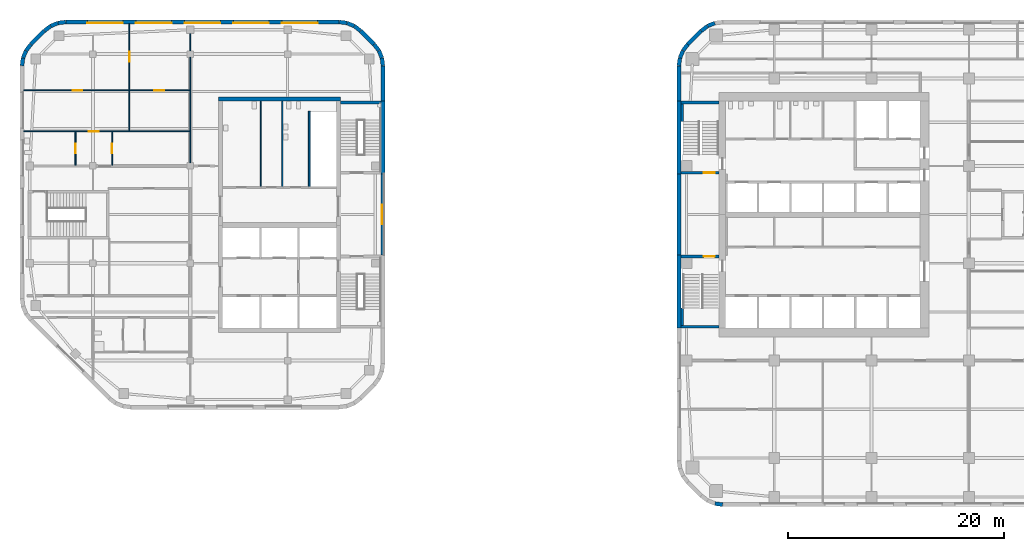
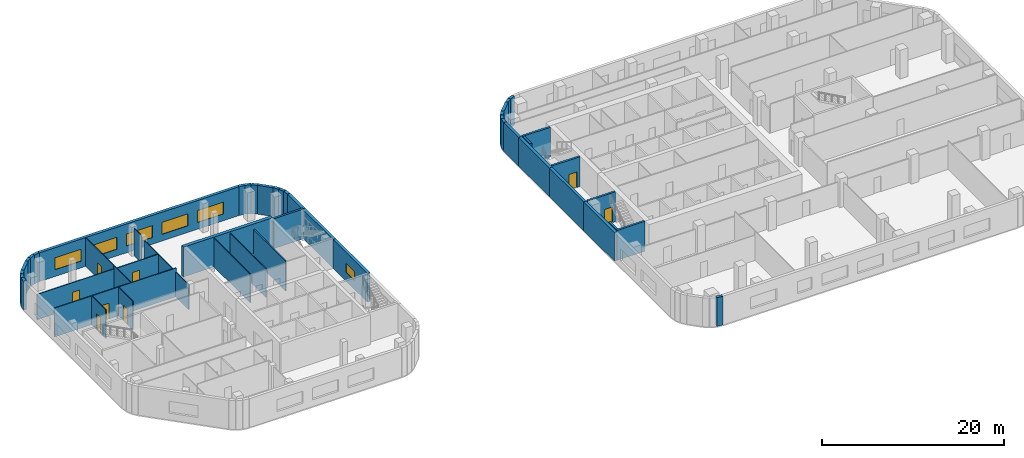
# One storey, part 7 of 14: 50 walls, 8 doors, 6 windows, 14 openings.
"""IFC4 building model written with IfcOpenShell, lengths in metres."""

from ifc_helpers import new_model, si_unit, direction, frame, frame_2d, origin, place, context, subcontext, project, spatial, rectangle, extrude, material, layer, layer_set, type_object, element, fill, save


model = new_model("IFC4")

# Units and contexts
model_context = context("Model", 3, precision=1e-05, world=origin(), true_north=direction((0.0, 1.0)))
body_context = subcontext(model_context, "Body", "Model", "MODEL_VIEW")
ifc_project = project(units=[si_unit("LENGTHUNIT", "METRE"), si_unit("AREAUNIT", "SQUARE_METRE"), si_unit("VOLUMEUNIT", "CUBIC_METRE"), si_unit("PLANEANGLEUNIT", "RADIAN"), si_unit("MASSUNIT", "GRAM", prefix="KILO")], contexts=[model_context])

# Site, building, storey
site_placement = place(None, origin())
site = spatial("IfcSite", under=ifc_project, at=site_placement, CompositionType="ELEMENT")
building_placement = place(site_placement, origin())
building = spatial("IfcBuilding", under=site, at=building_placement, Name="Cinnabar Reach Civic Tower", CompositionType="ELEMENT")
storey_placement = place(building_placement, frame((0.0, 0.0, 112.0)))
storey = spatial("IfcBuildingStorey", under=building, at=storey_placement, Name="L26", CompositionType="ELEMENT", Elevation=112.0)

# Walls
ifc_material_1 = material(Name="Facing brick with insulated backing", Category="masonry")
ifc_layer_1 = layer(ifc_material_1, 0.36)
ifc_layer_set_1 = layer_set([ifc_layer_1], Name="Brick corner wall")
wall_type_1 = type_object("IfcWallType", Name="Brick corner wall", PredefinedType="STANDARD", material=ifc_layer_set_1)
wall_1_placement = place(storey_placement, frame((3.5027, 49.2181, 0.0), z_axis=(0.0, 0.0, 1.0), x_axis=(-0.923871547278, -0.382702709855, 0.0)))
element("IfcWall", 1, at=wall_1_placement, inside=storey, type_object=wall_type_1, Name="Brick corner wall", PredefinedType="STANDARD", context=body_context, shape_type="SweptSolid", body=[
    extrude(rectangle(XDim=0.7131, YDim=0.36, at=frame_2d((0.3565, 0.0))), origin(), (0.0, 0.0, 1.0), 3.85),
])
for number, where, z_axis, x_axis, name in (
    (2, (2.8245, 48.934, 0.0), (0.0, 0.0, 1.0), (-0.793321924995, -0.608802368033, 0.0), "Brick corner wall"),
    (3, (1.0002, 47.2413, 0.0), (0.0, 0.0, 1.0), (-0.608802368033, -0.793321924995, 0.0), "Brick corner wall"),
):
    element("IfcWall", number, at=place(storey_placement, frame(where, z_axis=z_axis, x_axis=x_axis)), inside=storey, type_object=wall_type_1, Name=name, PredefinedType="STANDARD", context=body_context, shape_type="SweptSolid", body=[
        extrude(rectangle(XDim=0.7132, YDim=0.36, at=frame_2d((0.3566, 0.0))), origin(), (0.0, 0.0, 1.0), 3.85),
    ])
for number, where, z_axis, x_axis, name in (
    (4, (0.5548, 46.6561, 0.0), (0.0, 0.0, 1.0), (-0.382702709855, -0.923871547278, 0.0), "Brick corner wall"),
    (5, (0.2761, 45.9756, 0.0), (0.0, 0.0, 1.0), (-0.13055608231, -0.99144092581, 0.0), "Brick corner wall"),
    (6, (3.5244, 4.7761, 0.0), (0.0, 0.0, 1.0), (0.99144092581, -0.13055608231, 0.0), "Brick corner wall"),
    (7, (-27.183, 45.2686, 0.0), (0.0, 0.0, 1.0), (-0.13055608231, 0.99144092581, 0.0), "Brick corner wall"),
    (8, (-27.2819, 45.9973, 0.0), (0.0, 0.0, 1.0), (-0.382702709855, 0.923871547278, 0.0), "Brick corner wall"),
):
    element("IfcWall", number, at=place(storey_placement, frame(where, z_axis=z_axis, x_axis=x_axis)), inside=storey, type_object=wall_type_1, Name=name, PredefinedType="STANDARD", context=body_context, shape_type="SweptSolid", body=[
        extrude(rectangle(XDim=0.7131, YDim=0.36, at=frame_2d((0.3565, 0.0))), origin(), (0.0, 0.0, 1.0), 3.85),
    ])
for number, where, z_axis, x_axis, name in (
    (9, (-27.566, 46.6755, 0.0), (0.0, 0.0, 1.0), (-0.608802368033, 0.793321924995, 0.0), "Brick corner wall"),
    (10, (-29.2587, 48.4998, 0.0), (0.0, 0.0, 1.0), (-0.793321924995, 0.608802368033, 0.0), "Brick corner wall"),
):
    element("IfcWall", number, at=place(storey_placement, frame(where, z_axis=z_axis, x_axis=x_axis)), inside=storey, type_object=wall_type_1, Name=name, PredefinedType="STANDARD", context=body_context, shape_type="SweptSolid", body=[
        extrude(rectangle(XDim=0.7132, YDim=0.36, at=frame_2d((0.3566, 0.0))), origin(), (0.0, 0.0, 1.0), 3.85),
    ])
for number, where, z_axis, x_axis, name in (
    (11, (-29.8439, 48.9452, 0.0), (0.0, 0.0, 1.0), (-0.923871547278, 0.382702709855, 0.0), "Brick corner wall"),
    (12, (-30.5244, 49.2239, 0.0), (0.0, 0.0, 1.0), (-0.99144092581, 0.13055608231, 0.0), "Brick corner wall"),
    (13, (-56.5186, 49.317, 0.0), (0.0, 0.0, 1.0), (-0.99144092581, -0.13055608231, 0.0), "Brick corner wall"),
    (14, (-57.2473, 49.2181, 0.0), (0.0, 0.0, 1.0), (-0.923871547278, -0.382702709855, 0.0), "Brick corner wall"),
):
    element("IfcWall", number, at=place(storey_placement, frame(where, z_axis=z_axis, x_axis=x_axis)), inside=storey, type_object=wall_type_1, Name=name, PredefinedType="STANDARD", context=body_context, shape_type="SweptSolid", body=[
        extrude(rectangle(XDim=0.7131, YDim=0.36, at=frame_2d((0.3565, 0.0))), origin(), (0.0, 0.0, 1.0), 3.85),
    ])
for number, where, z_axis, x_axis, name in (
    (15, (-57.9255, 48.934, 0.0), (0.0, 0.0, 1.0), (-0.793321924995, -0.608802368033, 0.0), "Brick corner wall"),
    (16, (-59.7498, 47.2413, 0.0), (0.0, 0.0, 1.0), (-0.608802368033, -0.793321924995, 0.0), "Brick corner wall"),
):
    element("IfcWall", number, at=place(storey_placement, frame(where, z_axis=z_axis, x_axis=x_axis)), inside=storey, type_object=wall_type_1, Name=name, PredefinedType="STANDARD", context=body_context, shape_type="SweptSolid", body=[
        extrude(rectangle(XDim=0.7132, YDim=0.36, at=frame_2d((0.3566, 0.0))), origin(), (0.0, 0.0, 1.0), 3.85),
    ])
for number, where, z_axis, x_axis, name in (
    (17, (-60.1952, 46.6561, 0.0), (0.0, 0.0, 1.0), (-0.382702709855, -0.923871547278, 0.0), "Brick corner wall"),
    (18, (-60.4739, 45.9756, 0.0), (0.0, 0.0, 1.0), (-0.13055608231, -0.99144092581, 0.0), "Brick corner wall"),
):
    element("IfcWall", number, at=place(storey_placement, frame(where, z_axis=z_axis, x_axis=x_axis)), inside=storey, type_object=wall_type_1, Name=name, PredefinedType="STANDARD", context=body_context, shape_type="SweptSolid", body=[
        extrude(rectangle(XDim=0.7131, YDim=0.36, at=frame_2d((0.3565, 0.0))), origin(), (0.0, 0.0, 1.0), 3.85),
    ])
ifc_layer_2 = layer(ifc_material_1, 0.36)
ifc_layer_set_2 = layer_set([ifc_layer_2], Name="Brick pier and spandrel wall")
wall_type_2 = type_object("IfcWallType", Name="Brick pier and spandrel wall", PredefinedType="STANDARD", material=ifc_layer_set_2)
wall_2_placement = place(storey_placement, frame((2.2486, 48.494, 0.0), z_axis=(0.0, 0.0, 1.0), x_axis=(-0.707106781187, -0.707106781187, 0.0)))
element("IfcWall", 19, at=wall_2_placement, inside=storey, type_object=wall_type_2, Name="Brick facade wall", PredefinedType="STANDARD", context=body_context, shape_type="SweptSolid", body=[
    extrude(rectangle(XDim=1.7573, YDim=0.36, at=frame_2d((0.8787, 0.0))), origin(), (0.0, 0.0, 1.0), 3.85),
])
wall_3_placement = place(storey_placement, frame((0.18, 45.2574, 0.0), z_axis=(0.0, 0.0, 1.0), x_axis=(0.0, -1.0, 0.0)))
element("IfcWall", 20, at=wall_3_placement, inside=storey, type_object=wall_type_2, Name="Brick facade wall", PredefinedType="STANDARD", context=body_context, shape_type="SweptSolid", body=[
    extrude(rectangle(XDim=3.2574, YDim=0.36, at=frame_2d((1.6287, 0.0))), origin(), (0.0, 0.0, 1.0), 3.85),
])
wall_4_placement = place(storey_placement, frame((0.18, 42.0, 0.0), z_axis=(0.0, 0.0, 1.0), x_axis=(0.0, -1.0, 0.0)))
element("IfcWall", 21, at=wall_4_placement, inside=storey, type_object=wall_type_2, Name="Brick facade wall", PredefinedType="STANDARD", context=body_context, shape_type="SweptSolid", body=[
    extrude(rectangle(XDim=6.75, YDim=0.36, at=frame_2d((3.375, 0.0))), origin(), (0.0, 0.0, 1.0), 3.85),
])
wall_5_placement = place(storey_placement, frame((0.18, 35.25, 0.0), z_axis=(0.0, 0.0, 1.0), x_axis=(0.0, -1.0, 0.0)))
element("IfcWall", 22, at=wall_5_placement, inside=storey, type_object=wall_type_2, Name="Brick facade wall", PredefinedType="STANDARD", context=body_context, shape_type="SweptSolid", body=[
    extrude(rectangle(XDim=7.5, YDim=0.36, at=frame_2d((3.75, 0.0))), origin(), (0.0, 0.0, 1.0), 3.85),
])
wall_6_placement = place(storey_placement, frame((0.18, 27.75, 0.0), z_axis=(0.0, 0.0, 1.0), x_axis=(0.0, -1.0, 0.0)))
element("IfcWall", 23, at=wall_6_placement, inside=storey, type_object=wall_type_2, Name="Brick facade wall", PredefinedType="STANDARD", context=body_context, shape_type="SweptSolid", body=[
    extrude(rectangle(XDim=6.75, YDim=0.36, at=frame_2d((3.375, 0.0))), origin(), (0.0, 0.0, 1.0), 3.85),
])

# Wall, opening, window
wall_7_placement = place(storey_placement, frame((-27.18, 27.75, 0.0), z_axis=(0.0, 0.0, 1.0), x_axis=(0.0, 1.0, 0.0)))
wall_7 = element("IfcWall", 24, at=wall_7_placement, inside=storey, type_object=wall_type_2, Name="Brick facade wall", PredefinedType="STANDARD", context=body_context, shape_type="SweptSolid", body=[
    extrude(rectangle(XDim=7.5, YDim=0.36, at=frame_2d((3.75, 0.0))), origin(), (0.0, 0.0, 1.0), 3.85),
])
opening_1_placement = place(wall_7_placement, frame((2.85, 0.0, 1.2)))
opening_1 = element("IfcOpeningElement", 25, at=opening_1_placement, cuts=wall_7, Name="Opening W2712", PredefinedType="OPENING", context=body_context, shape_type="SweptSolid", body=[
    extrude(rectangle(XDim=1.8, YDim=1.2, at=frame_2d((0.9, 0.6))), frame((0.0, 0.19, 0.0), z_axis=(0.0, -1.0, 0.0), x_axis=(1.0, 0.0, 0.0)), (0.0, 0.0, 1.0), 0.38),
])
ifc_material_2 = material(Name="Clear double glazing in aluminium frame", Category="aluminium")
window_type_1 = type_object("IfcWindowType", Name="Deep-set window C", PartitioningType="SINGLE_PANEL", PredefinedType="WINDOW", material=ifc_material_2)
window_1_placement = place(opening_1_placement, origin())
window_1 = element("IfcWindow", 26, at=window_1_placement, inside=storey, type_object=window_type_1, Name="Window east face", OverallHeight=1.2, OverallWidth=1.8, PartitioningType="SINGLE_PANEL", PredefinedType="WINDOW", context=body_context, shape_type="SweptSolid", body=[
    extrude(rectangle(XDim=1.8, YDim=1.2, at=frame_2d((0.9, 0.6))), frame((0.0, 0.13, 0.0), z_axis=(0.0, -1.0, 0.0), x_axis=(1.0, 0.0, 0.0)), (0.0, 0.0, 1.0), 0.06),
])
fill(opening_1, window_1)

# Walls
wall_8_placement = place(storey_placement, frame((-27.18, 35.25, 0.0), z_axis=(0.0, 0.0, 1.0), x_axis=(0.0, 1.0, 0.0)))
element("IfcWall", 27, at=wall_8_placement, inside=storey, type_object=wall_type_2, Name="Brick facade wall", PredefinedType="STANDARD", context=body_context, shape_type="SweptSolid", body=[
    extrude(rectangle(XDim=6.75, YDim=0.36, at=frame_2d((3.375, 0.0))), origin(), (0.0, 0.0, 1.0), 3.85),
])
wall_9_placement = place(storey_placement, frame((-27.18, 42.0, 0.0), z_axis=(0.0, 0.0, 1.0), x_axis=(0.0, 1.0, 0.0)))
element("IfcWall", 28, at=wall_9_placement, inside=storey, type_object=wall_type_2, Name="Brick facade wall", PredefinedType="STANDARD", context=body_context, shape_type="SweptSolid", body=[
    extrude(rectangle(XDim=3.2574, YDim=0.36, at=frame_2d((1.6287, 0.0))), origin(), (0.0, 0.0, 1.0), 3.85),
])
wall_10_placement = place(storey_placement, frame((-28.006, 47.2514, 0.0), z_axis=(0.0, 0.0, 1.0), x_axis=(-0.707106781187, 0.707106781187, 0.0)))
element("IfcWall", 29, at=wall_10_placement, inside=storey, type_object=wall_type_2, Name="Brick facade wall", PredefinedType="STANDARD", context=body_context, shape_type="SweptSolid", body=[
    extrude(rectangle(XDim=1.7573, YDim=0.36, at=frame_2d((0.8787, 0.0))), origin(), (0.0, 0.0, 1.0), 3.85),
])

# Wall, openings, windows
wall_11_placement = place(storey_placement, frame((-31.2426, 49.32, 0.0), z_axis=(0.0, 0.0, 1.0), x_axis=(-1.0, 0.0, 0.0)))
wall_11 = element("IfcWall", 30, at=wall_11_placement, inside=storey, type_object=wall_type_2, Name="Brick facade wall", PredefinedType="STANDARD", context=body_context, shape_type="SweptSolid", body=[
    extrude(rectangle(XDim=25.2648, YDim=0.36, at=frame_2d((12.6324, 0.0))), origin(), (0.0, 0.0, 1.0), 3.85),
])
opening_2_placement = place(wall_11_placement, frame((1.9824, 0.0, 0.9)))
opening_2 = element("IfcOpeningElement", 31, at=opening_2_placement, cuts=wall_11, Name="Opening W2713", PredefinedType="OPENING", context=body_context, shape_type="SweptSolid", body=[
    extrude(rectangle(XDim=3.3, YDim=1.6, at=frame_2d((1.65, 0.8))), frame((0.0, 0.19, 0.0), z_axis=(0.0, -1.0, 0.0), x_axis=(1.0, 0.0, 0.0)), (0.0, 0.0, 1.0), 0.38),
])
opening_3_placement = place(wall_11_placement, frame((6.4824, 0.0, 0.9)))
opening_3 = element("IfcOpeningElement", 32, at=opening_3_placement, cuts=wall_11, Name="Opening W2714", PredefinedType="OPENING", context=body_context, shape_type="SweptSolid", body=[
    extrude(rectangle(XDim=3.3, YDim=1.6, at=frame_2d((1.65, 0.8))), frame((0.0, 0.19, 0.0), z_axis=(0.0, -1.0, 0.0), x_axis=(1.0, 0.0, 0.0)), (0.0, 0.0, 1.0), 0.38),
])
opening_4_placement = place(wall_11_placement, frame((10.9824, 0.0, 0.9)))
opening_4 = element("IfcOpeningElement", 33, at=opening_4_placement, cuts=wall_11, Name="Opening W2715", PredefinedType="OPENING", context=body_context, shape_type="SweptSolid", body=[
    extrude(rectangle(XDim=3.3, YDim=1.6, at=frame_2d((1.65, 0.8))), frame((0.0, 0.19, 0.0), z_axis=(0.0, -1.0, 0.0), x_axis=(1.0, 0.0, 0.0)), (0.0, 0.0, 1.0), 0.38),
])
opening_5_placement = place(wall_11_placement, frame((15.4824, 0.0, 0.9)))
opening_5 = element("IfcOpeningElement", 34, at=opening_5_placement, cuts=wall_11, Name="Opening W2716", PredefinedType="OPENING", context=body_context, shape_type="SweptSolid", body=[
    extrude(rectangle(XDim=3.3, YDim=1.6, at=frame_2d((1.65, 0.8))), frame((0.0, 0.19, 0.0), z_axis=(0.0, -1.0, 0.0), x_axis=(1.0, 0.0, 0.0)), (0.0, 0.0, 1.0), 0.38),
])
opening_6_placement = place(wall_11_placement, frame((19.9824, 0.0, 0.9)))
opening_6 = element("IfcOpeningElement", 35, at=opening_6_placement, cuts=wall_11, Name="Opening W2717", PredefinedType="OPENING", context=body_context, shape_type="SweptSolid", body=[
    extrude(rectangle(XDim=3.3, YDim=1.6, at=frame_2d((1.65, 0.8))), frame((0.0, 0.19, 0.0), z_axis=(0.0, -1.0, 0.0), x_axis=(1.0, 0.0, 0.0)), (0.0, 0.0, 1.0), 0.38),
])
window_type_2 = type_object("IfcWindowType", Name="Deep-set window A", PartitioningType="SINGLE_PANEL", PredefinedType="WINDOW", material=ifc_material_2)
window_2_placement = place(opening_2_placement, origin())
window_2 = element("IfcWindow", 36, at=window_2_placement, inside=storey, type_object=window_type_2, Name="Window north face", OverallHeight=1.6, OverallWidth=3.3, PartitioningType="SINGLE_PANEL", PredefinedType="WINDOW", context=body_context, shape_type="SweptSolid", body=[
    extrude(rectangle(XDim=3.3, YDim=1.6, at=frame_2d((1.65, 0.8))), frame((0.0, 0.13, 0.0), z_axis=(0.0, -1.0, 0.0), x_axis=(1.0, 0.0, 0.0)), (0.0, 0.0, 1.0), 0.06),
])
fill(opening_2, window_2)
window_3_placement = place(opening_3_placement, origin())
window_3 = element("IfcWindow", 37, at=window_3_placement, inside=storey, type_object=window_type_2, Name="Window north face", OverallHeight=1.6, OverallWidth=3.3, PartitioningType="SINGLE_PANEL", PredefinedType="WINDOW", context=body_context, shape_type="SweptSolid", body=[
    extrude(rectangle(XDim=3.3, YDim=1.6, at=frame_2d((1.65, 0.8))), frame((0.0, 0.13, 0.0), z_axis=(0.0, -1.0, 0.0), x_axis=(1.0, 0.0, 0.0)), (0.0, 0.0, 1.0), 0.06),
])
fill(opening_3, window_3)
window_4_placement = place(opening_4_placement, origin())
window_4 = element("IfcWindow", 38, at=window_4_placement, inside=storey, type_object=window_type_2, Name="Window north face", OverallHeight=1.6, OverallWidth=3.3, PartitioningType="SINGLE_PANEL", PredefinedType="WINDOW", context=body_context, shape_type="SweptSolid", body=[
    extrude(rectangle(XDim=3.3, YDim=1.6, at=frame_2d((1.65, 0.8))), frame((0.0, 0.13, 0.0), z_axis=(0.0, -1.0, 0.0), x_axis=(1.0, 0.0, 0.0)), (0.0, 0.0, 1.0), 0.06),
])
fill(opening_4, window_4)
window_5_placement = place(opening_5_placement, origin())
window_5 = element("IfcWindow", 39, at=window_5_placement, inside=storey, type_object=window_type_2, Name="Window north face", OverallHeight=1.6, OverallWidth=3.3, PartitioningType="SINGLE_PANEL", PredefinedType="WINDOW", context=body_context, shape_type="SweptSolid", body=[
    extrude(rectangle(XDim=3.3, YDim=1.6, at=frame_2d((1.65, 0.8))), frame((0.0, 0.13, 0.0), z_axis=(0.0, -1.0, 0.0), x_axis=(1.0, 0.0, 0.0)), (0.0, 0.0, 1.0), 0.06),
])
fill(opening_5, window_5)
window_6_placement = place(opening_6_placement, origin())
window_6 = element("IfcWindow", 40, at=window_6_placement, inside=storey, type_object=window_type_2, Name="Window north face", OverallHeight=1.6, OverallWidth=3.3, PartitioningType="SINGLE_PANEL", PredefinedType="WINDOW", context=body_context, shape_type="SweptSolid", body=[
    extrude(rectangle(XDim=3.3, YDim=1.6, at=frame_2d((1.65, 0.8))), frame((0.0, 0.13, 0.0), z_axis=(0.0, -1.0, 0.0), x_axis=(1.0, 0.0, 0.0)), (0.0, 0.0, 1.0), 0.06),
])
fill(opening_6, window_6)

# Walls
wall_12_placement = place(storey_placement, frame((-58.5014, 48.494, 0.0), z_axis=(0.0, 0.0, 1.0), x_axis=(-0.707106781187, -0.707106781187, 0.0)))
element("IfcWall", 41, at=wall_12_placement, inside=storey, type_object=wall_type_2, Name="Brick facade wall", PredefinedType="STANDARD", context=body_context, shape_type="SweptSolid", body=[
    extrude(rectangle(XDim=1.7573, YDim=0.36, at=frame_2d((0.8787, 0.0))), origin(), (0.0, 0.0, 1.0), 3.85),
])
ifc_material_3 = material(Name="Concrete C60", Category="concrete")
ifc_layer_3 = layer(ifc_material_3, 0.4)
ifc_layer_set_3 = layer_set([ifc_layer_3], Name="Core wall 400 EI 180")
wall_type_3 = type_object("IfcWallType", Name="Core wall 400 EI 180", PredefinedType="SOLIDWALL", material=ifc_layer_set_3)
wall_13_placement = place(storey_placement, frame((-31.1, 42.2, 0.0), z_axis=(0.0, 0.0, 1.0), x_axis=(-1.0, 0.0, 0.0)))
element("IfcWall", 42, at=wall_13_placement, inside=storey, type_object=wall_type_3, Name="Core wall T2 L26 N", PredefinedType="SOLIDWALL", context=body_context, shape_type="SweptSolid", body=[
    extrude(rectangle(XDim=11.3, YDim=0.4, at=frame_2d((5.65, 0.0))), origin(), (0.0, 0.0, 1.0), 4.0),
])

# Wall, opening, door
ifc_material_4 = material(Name="Gypsum board on steel studs", Category="steel")
ifc_layer_4 = layer(ifc_material_4, 0.1)
ifc_layer_set_4 = layer_set([ifc_layer_4], Name="Partition wall 100 T2")
wall_type_4 = type_object("IfcWallType", Name="Partition wall 100 T2", PredefinedType="PARTITIONING", material=ifc_layer_set_4)
wall_14_placement = place(storey_placement, frame((-60.39, 39.2, 0.0), z_axis=(0.0, 0.0, 1.0), x_axis=(1.0, 0.0, 0.0)))
wall_14 = element("IfcWall", 43, at=wall_14_placement, inside=storey, type_object=wall_type_4, Name="Partition wall 9", PredefinedType="PARTITIONING", context=body_context, shape_type="SweptSolid", body=[
    extrude(rectangle(XDim=15.44, YDim=0.1, at=frame_2d((7.72, 0.0))), origin(), (0.0, 0.0, 1.0), 3.85),
])
opening_7_placement = place(wall_14_placement, frame((6.0209, 0.0, 0.0)))
opening_7 = element("IfcOpeningElement", 44, at=opening_7_placement, cuts=wall_14, Name="Opening D6966", PredefinedType="OPENING", context=body_context, shape_type="SweptSolid", body=[
    extrude(rectangle(XDim=0.9, YDim=2.1, at=frame_2d((0.45, 1.05))), frame((0.0, 0.06, 0.0), z_axis=(0.0, -1.0, 0.0), x_axis=(1.0, 0.0, 0.0)), (0.0, 0.0, 1.0), 0.12),
])
ifc_material_5 = material(Name="Timber door leaf in steel frame", Category="steel")
door_type_1 = type_object("IfcDoorType", Name="Single swing door 900 x 2100 T2", OperationType="SINGLE_SWING_LEFT", PredefinedType="DOOR", material=ifc_material_5)
door_1_placement = place(opening_7_placement, frame((0.9, 0.0, 0.0), z_axis=(0.0, 0.0, 1.0), x_axis=(-1.0, 0.0, 0.0)))
door_1 = element("IfcDoor", 45, at=door_1_placement, inside=storey, type_object=door_type_1, Name="Door D6966", OperationType="SINGLE_SWING_RIGHT", OverallHeight=2.1, OverallWidth=0.9, PredefinedType="DOOR", context=body_context, shape_type="SweptSolid", body=[
    extrude(rectangle(XDim=0.9, YDim=2.1, at=frame_2d((0.45, 1.05))), frame((0.0, 0.025, 0.0), z_axis=(0.0, -1.0, 0.0), x_axis=(1.0, 0.0, 0.0)), (0.0, 0.0, 1.0), 0.05),
])
fill(opening_7, door_1)

# Wall, openings, doors
wall_15_placement = place(storey_placement, frame((-60.39, 42.9943, 0.0), z_axis=(0.0, 0.0, 1.0), x_axis=(1.0, 0.0, 0.0)))
wall_15 = element("IfcWall", 46, at=wall_15_placement, inside=storey, type_object=wall_type_4, Name="Partition wall 10", PredefinedType="PARTITIONING", context=body_context, shape_type="SweptSolid", body=[
    extrude(rectangle(XDim=15.44, YDim=0.1, at=frame_2d((7.72, 0.0))), origin(), (0.0, 0.0, 1.0), 3.4),
])
opening_8_placement = place(wall_15_placement, frame((4.5, 0.0, 0.0)))
opening_8 = element("IfcOpeningElement", 47, at=opening_8_placement, cuts=wall_15, Name="Opening D6968", PredefinedType="OPENING", context=body_context, shape_type="SweptSolid", body=[
    extrude(rectangle(XDim=0.9, YDim=2.1, at=frame_2d((0.45, 1.05))), frame((0.0, 0.06, 0.0), z_axis=(0.0, -1.0, 0.0), x_axis=(1.0, 0.0, 0.0)), (0.0, 0.0, 1.0), 0.12),
])
opening_9_placement = place(wall_15_placement, frame((12.06, 0.0, 0.0)))
opening_9 = element("IfcOpeningElement", 48, at=opening_9_placement, cuts=wall_15, Name="Opening D6969", PredefinedType="OPENING", context=body_context, shape_type="SweptSolid", body=[
    extrude(rectangle(XDim=0.9, YDim=2.1, at=frame_2d((0.45, 1.05))), frame((0.0, 0.06, 0.0), z_axis=(0.0, -1.0, 0.0), x_axis=(1.0, 0.0, 0.0)), (0.0, 0.0, 1.0), 0.12),
])
door_2_placement = place(opening_8_placement, frame((0.9, 0.0, 0.0), z_axis=(0.0, 0.0, 1.0), x_axis=(-1.0, 0.0, 0.0)))
door_2 = element("IfcDoor", 49, at=door_2_placement, inside=storey, type_object=door_type_1, Name="Door D6968", OperationType="SINGLE_SWING_RIGHT", OverallHeight=2.1, OverallWidth=0.9, PredefinedType="DOOR", context=body_context, shape_type="SweptSolid", body=[
    extrude(rectangle(XDim=0.9, YDim=2.1, at=frame_2d((0.45, 1.05))), frame((0.0, 0.025, 0.0), z_axis=(0.0, -1.0, 0.0), x_axis=(1.0, 0.0, 0.0)), (0.0, 0.0, 1.0), 0.05),
])
fill(opening_8, door_2)
door_3_placement = place(opening_9_placement, origin())
door_3 = element("IfcDoor", 50, at=door_3_placement, inside=storey, type_object=door_type_1, Name="Door D6969", OperationType="SINGLE_SWING_LEFT", OverallHeight=2.1, OverallWidth=0.9, PredefinedType="DOOR", context=body_context, shape_type="SweptSolid", body=[
    extrude(rectangle(XDim=0.9, YDim=2.1, at=frame_2d((0.45, 1.05))), frame((0.0, 0.025, 0.0), z_axis=(0.0, -1.0, 0.0), x_axis=(1.0, 0.0, 0.0)), (0.0, 0.0, 1.0), 0.05),
])
fill(opening_9, door_3)

# Walls
wall_16_placement = place(storey_placement, frame((-45.0, 43.0443, 0.0), z_axis=(0.0, 0.0, 1.0), x_axis=(0.0, 1.0, 0.0)))
element("IfcWall", 51, at=wall_16_placement, inside=storey, type_object=wall_type_4, Name="Partition wall 11", PredefinedType="PARTITIONING", context=body_context, shape_type="SweptSolid", body=[
    extrude(rectangle(XDim=3.0057, YDim=0.1, at=frame_2d((1.5029, 0.0))), origin(), (0.0, 0.0, 1.0), 3.362),
])
wall_17_placement = place(storey_placement, frame((-45.0, 39.25, 0.0), z_axis=(0.0, 0.0, 1.0), x_axis=(0.0, 1.0, 0.0)))
element("IfcWall", 52, at=wall_17_placement, inside=storey, type_object=wall_type_4, Name="Partition wall 12", PredefinedType="PARTITIONING", context=body_context, shape_type="SweptSolid", body=[
    extrude(rectangle(XDim=3.6944, YDim=0.1, at=frame_2d((1.8472, 0.0))), origin(), (0.0, 0.0, 1.0), 3.362),
])
wall_18_placement = place(storey_placement, frame((-45.0, 36.3, 0.0), z_axis=(0.0, 0.0, 1.0), x_axis=(0.0, 1.0, 0.0)))
element("IfcWall", 53, at=wall_18_placement, inside=storey, type_object=wall_type_4, Name="Partition wall 13", PredefinedType="PARTITIONING", context=body_context, shape_type="SweptSolid", body=[
    extrude(rectangle(XDim=2.85, YDim=0.1, at=frame_2d((1.425, 0.0))), origin(), (0.0, 0.0, 1.0), 3.362),
])
wall_19_placement = place(storey_placement, frame((-45.0, 46.65, 0.0), z_axis=(0.0, 0.0, 1.0), x_axis=(0.0, 1.0, 0.0)))
element("IfcWall", 54, at=wall_19_placement, inside=storey, type_object=wall_type_4, Name="Partition wall 14", PredefinedType="PARTITIONING", context=body_context, shape_type="SweptSolid", body=[
    extrude(rectangle(XDim=1.6, YDim=0.1, at=frame_2d((0.8, 0.0))), origin(), (0.0, 0.0, 1.0), 3.652),
])
wall_20_placement = place(storey_placement, frame((-50.63, 39.25, 0.0), z_axis=(0.0, 0.0, 1.0), x_axis=(0.0, 1.0, 0.0)))
element("IfcWall", 55, at=wall_20_placement, inside=storey, type_object=wall_type_4, Name="Partition wall 15", PredefinedType="PARTITIONING", context=body_context, shape_type="SweptSolid", body=[
    extrude(rectangle(XDim=3.6944, YDim=0.1, at=frame_2d((1.8472, 0.0))), origin(), (0.0, 0.0, 1.0), 3.85),
])

# Wall, opening, door
wall_21_placement = place(storey_placement, frame((-50.63, 43.0443, 0.0), z_axis=(0.0, 0.0, 1.0), x_axis=(0.0, 1.0, 0.0)))
wall_21 = element("IfcWall", 56, at=wall_21_placement, inside=storey, type_object=wall_type_4, Name="Partition wall 16", PredefinedType="PARTITIONING", context=body_context, shape_type="SweptSolid", body=[
    extrude(rectangle(XDim=6.0957, YDim=0.1, at=frame_2d((3.0478, 0.0))), origin(), (0.0, 0.0, 1.0), 3.85),
])
opening_10_placement = place(wall_21_placement, frame((2.6, 0.0, 0.0)))
opening_10 = element("IfcOpeningElement", 57, at=opening_10_placement, cuts=wall_21, Name="Opening D6967", PredefinedType="OPENING", context=body_context, shape_type="SweptSolid", body=[
    extrude(rectangle(XDim=0.9, YDim=2.1, at=frame_2d((0.45, 1.05))), frame((0.0, 0.06, 0.0), z_axis=(0.0, -1.0, 0.0), x_axis=(1.0, 0.0, 0.0)), (0.0, 0.0, 1.0), 0.12),
])
door_4_placement = place(opening_10_placement, frame((0.9, 0.0, 0.0), z_axis=(0.0, 0.0, 1.0), x_axis=(-1.0, 0.0, 0.0)))
door_4 = element("IfcDoor", 58, at=door_4_placement, inside=storey, type_object=door_type_1, Name="Door D6967", OperationType="SINGLE_SWING_RIGHT", OverallHeight=2.1, OverallWidth=0.9, PredefinedType="DOOR", context=body_context, shape_type="SweptSolid", body=[
    extrude(rectangle(XDim=0.9, YDim=2.1, at=frame_2d((0.45, 1.05))), frame((0.0, 0.025, 0.0), z_axis=(0.0, -1.0, 0.0), x_axis=(1.0, 0.0, 0.0)), (0.0, 0.0, 1.0), 0.05),
])
fill(opening_10, door_4)

wall_22_placement = place(storey_placement, frame((-55.6191, 36.075, 0.0), z_axis=(0.0, 0.0, 1.0), x_axis=(0.0, 1.0, 0.0)))
wall_22 = element("IfcWall", 59, at=wall_22_placement, inside=storey, type_object=wall_type_4, Name="Partition wall 27", PredefinedType="PARTITIONING", context=body_context, shape_type="SweptSolid", body=[
    extrude(rectangle(XDim=3.075, YDim=0.1, at=frame_2d((1.5375, 0.0))), origin(), (0.0, 0.0, 1.0), 3.85),
])
opening_11_placement = place(wall_22_placement, frame((1.1, 0.0, 0.0)))
opening_11 = element("IfcOpeningElement", 60, at=opening_11_placement, cuts=wall_22, Name="Opening D6964", PredefinedType="OPENING", context=body_context, shape_type="SweptSolid", body=[
    extrude(rectangle(XDim=0.9, YDim=2.1, at=frame_2d((0.45, 1.05))), frame((0.0, 0.06, 0.0), z_axis=(0.0, -1.0, 0.0), x_axis=(1.0, 0.0, 0.0)), (0.0, 0.0, 1.0), 0.12),
])
door_5_placement = place(opening_11_placement, origin())
door_5 = element("IfcDoor", 61, at=door_5_placement, inside=storey, type_object=door_type_1, Name="Door D6964", OperationType="SINGLE_SWING_RIGHT", OverallHeight=2.1, OverallWidth=0.9, PredefinedType="DOOR", context=body_context, shape_type="SweptSolid", body=[
    extrude(rectangle(XDim=0.9, YDim=2.1, at=frame_2d((0.45, 1.05))), frame((0.0, 0.025, 0.0), z_axis=(0.0, -1.0, 0.0), x_axis=(1.0, 0.0, 0.0)), (0.0, 0.0, 1.0), 0.05),
])
fill(opening_11, door_5)

wall_23_placement = place(storey_placement, frame((-52.2333, 36.075, 0.0), z_axis=(0.0, 0.0, 1.0), x_axis=(0.0, 1.0, 0.0)))
wall_23 = element("IfcWall", 62, at=wall_23_placement, inside=storey, type_object=wall_type_4, Name="Partition wall 28", PredefinedType="PARTITIONING", context=body_context, shape_type="SweptSolid", body=[
    extrude(rectangle(XDim=3.075, YDim=0.1, at=frame_2d((1.5375, 0.0))), origin(), (0.0, 0.0, 1.0), 3.85),
])
opening_12_placement = place(wall_23_placement, frame((1.1, 0.0, 0.0)))
opening_12 = element("IfcOpeningElement", 63, at=opening_12_placement, cuts=wall_23, Name="Opening D6965", PredefinedType="OPENING", context=body_context, shape_type="SweptSolid", body=[
    extrude(rectangle(XDim=0.9, YDim=2.1, at=frame_2d((0.45, 1.05))), frame((0.0, 0.06, 0.0), z_axis=(0.0, -1.0, 0.0), x_axis=(1.0, 0.0, 0.0)), (0.0, 0.0, 1.0), 0.12),
])
door_6_placement = place(opening_12_placement, origin())
door_6 = element("IfcDoor", 64, at=door_6_placement, inside=storey, type_object=door_type_1, Name="Door D6965", OperationType="SINGLE_SWING_RIGHT", OverallHeight=2.1, OverallWidth=0.9, PredefinedType="DOOR", context=body_context, shape_type="SweptSolid", body=[
    extrude(rectangle(XDim=0.9, YDim=2.1, at=frame_2d((0.45, 1.05))), frame((0.0, 0.025, 0.0), z_axis=(0.0, -1.0, 0.0), x_axis=(1.0, 0.0, 0.0)), (0.0, 0.0, 1.0), 0.05),
])
fill(opening_12, door_6)

# Wall
ifc_layer_5 = layer(ifc_material_3, 0.25)
ifc_layer_set_5 = layer_set([ifc_layer_5], Name="Stair shaft wall 250 EI 120")
wall_type_5 = type_object("IfcWallType", Name="Stair shaft wall 250 EI 120", PredefinedType="SOLIDWALL", material=ifc_layer_set_5)
wall_24_placement = place(storey_placement, frame((0.36, 21.125, 0.0), z_axis=(0.0, 0.0, 1.0), x_axis=(1.0, 0.0, 0.0)))
element("IfcWall", 65, at=wall_24_placement, inside=storey, type_object=wall_type_5, Name="Stair shaft wall T1-S1 L26", PredefinedType="SOLIDWALL", context=body_context, shape_type="SweptSolid", body=[
    extrude(rectangle(XDim=3.54, YDim=0.25, at=frame_2d((1.77, 0.0))), origin(), (0.0, 0.0, 1.0), 4.0),
])

# Wall, opening, door
wall_25_placement = place(storey_placement, frame((3.9, 27.625, 0.0), z_axis=(0.0, 0.0, 1.0), x_axis=(-1.0, 0.0, 0.0)))
wall_25 = element("IfcWall", 66, at=wall_25_placement, inside=storey, type_object=wall_type_5, Name="Stair shaft wall T1-S1 L26", PredefinedType="SOLIDWALL", context=body_context, shape_type="SweptSolid", body=[
    extrude(rectangle(XDim=3.54, YDim=0.25, at=frame_2d((1.77, 0.0))), origin(), (0.0, 0.0, 1.0), 4.0),
])
opening_13_placement = place(wall_25_placement, frame((0.4, 0.0, 0.0)))
opening_13 = element("IfcOpeningElement", 67, at=opening_13_placement, cuts=wall_25, Name="Opening D4046", PredefinedType="OPENING", context=body_context, shape_type="SweptSolid", body=[
    extrude(rectangle(XDim=1.0, YDim=2.1, at=frame_2d((0.5, 1.05))), frame((0.0, 0.135, 0.0), z_axis=(0.0, -1.0, 0.0), x_axis=(1.0, 0.0, 0.0)), (0.0, 0.0, 1.0), 0.27),
])
door_type_2 = type_object("IfcDoorType", Name="Stair door 1000 x 2100 T1", OperationType="SINGLE_SWING_LEFT", PredefinedType="DOOR", material=ifc_material_5)
door_7_placement = place(opening_13_placement, origin())
door_7 = element("IfcDoor", 68, at=door_7_placement, inside=storey, type_object=door_type_2, Name="Door D4046", OperationType="SINGLE_SWING_LEFT", OverallHeight=2.1, OverallWidth=1.0, PredefinedType="DOOR", context=body_context, shape_type="SweptSolid", body=[
    extrude(rectangle(XDim=1.0, YDim=2.1, at=frame_2d((0.5, 1.05))), frame((0.0, 0.025, 0.0), z_axis=(0.0, -1.0, 0.0), x_axis=(1.0, 0.0, 0.0)), (0.0, 0.0, 1.0), 0.05),
])
fill(opening_13, door_7)

wall_26_placement = place(storey_placement, frame((0.36, 35.375, 0.0), z_axis=(0.0, 0.0, 1.0), x_axis=(1.0, 0.0, 0.0)))
wall_26 = element("IfcWall", 69, at=wall_26_placement, inside=storey, type_object=wall_type_5, Name="Stair shaft wall T1-S2 L26", PredefinedType="SOLIDWALL", context=body_context, shape_type="SweptSolid", body=[
    extrude(rectangle(XDim=3.54, YDim=0.25, at=frame_2d((1.77, 0.0))), origin(), (0.0, 0.0, 1.0), 4.0),
])
opening_14_placement = place(wall_26_placement, frame((2.14, 0.0, 0.0)))
opening_14 = element("IfcOpeningElement", 70, at=opening_14_placement, cuts=wall_26, Name="Opening D4048", PredefinedType="OPENING", context=body_context, shape_type="SweptSolid", body=[
    extrude(rectangle(XDim=1.0, YDim=2.1, at=frame_2d((0.5, 1.05))), frame((0.0, 0.135, 0.0), z_axis=(0.0, -1.0, 0.0), x_axis=(1.0, 0.0, 0.0)), (0.0, 0.0, 1.0), 0.27),
])
door_8_placement = place(opening_14_placement, origin())
door_8 = element("IfcDoor", 71, at=door_8_placement, inside=storey, type_object=door_type_2, Name="Door D4048", OperationType="SINGLE_SWING_RIGHT", OverallHeight=2.1, OverallWidth=1.0, PredefinedType="DOOR", context=body_context, shape_type="SweptSolid", body=[
    extrude(rectangle(XDim=1.0, YDim=2.1, at=frame_2d((0.5, 1.05))), frame((0.0, 0.025, 0.0), z_axis=(0.0, -1.0, 0.0), x_axis=(1.0, 0.0, 0.0)), (0.0, 0.0, 1.0), 0.05),
])
fill(opening_14, door_8)

# Walls
wall_27_placement = place(storey_placement, frame((3.9, 41.875, 0.0), z_axis=(0.0, 0.0, 1.0), x_axis=(-1.0, 0.0, 0.0)))
element("IfcWall", 72, at=wall_27_placement, inside=storey, type_object=wall_type_5, Name="Stair shaft wall T1-S2 L26", PredefinedType="SOLIDWALL", context=body_context, shape_type="SweptSolid", body=[
    extrude(rectangle(XDim=3.54, YDim=0.25, at=frame_2d((1.77, 0.0))), origin(), (0.0, 0.0, 1.0), 4.0),
])
wall_28_placement = place(storey_placement, frame((-27.36, 41.875, 0.0), z_axis=(0.0, 0.0, 1.0), x_axis=(-1.0, 0.0, 0.0)))
element("IfcWall", 73, at=wall_28_placement, inside=storey, type_object=wall_type_5, Name="Stair shaft wall T2-S2 L26", PredefinedType="SOLIDWALL", context=body_context, shape_type="SweptSolid", body=[
    extrude(rectangle(XDim=3.74, YDim=0.25, at=frame_2d((1.87, 0.0))), origin(), (0.0, 0.0, 1.0), 4.0),
])
ifc_material_6 = material(Name="Concrete C40/50", Category="concrete")
ifc_layer_6 = layer(ifc_material_6, 0.24)
ifc_layer_set_6 = layer_set([ifc_layer_6], Name="T1 landing bearer wall 240")
wall_type_6 = type_object("IfcWallType", Name="T1 landing bearer wall 240", PredefinedType="STANDARD", material=ifc_layer_set_6)
for number, where, z_axis, x_axis, name in (
    (74, (0.48, 21.25, 0.0), (0.0, 0.0, 1.0), (0.0, 1.0, 0.0), "T1-S1 landing bearer wall"),
    (75, (0.48, 40.13, 0.0), (0.0, 0.0, 1.0), (0.0, 1.0, 0.0), "T1-S2 landing bearer wall"),
):
    element("IfcWall", number, at=place(storey_placement, frame(where, z_axis=z_axis, x_axis=x_axis)), inside=storey, type_object=wall_type_6, Name=name, PredefinedType="STANDARD", context=body_context, shape_type="SweptSolid", body=[
        extrude(rectangle(XDim=1.62, YDim=0.24, at=frame_2d((0.81, 0.0))), origin(), (0.0, 0.0, 1.0), 4.0),
    ])
ifc_material_7 = material(Name="Gypsum board partition")
ifc_layer_7 = layer(ifc_material_7, 0.1)
ifc_layer_set_7 = layer_set([ifc_layer_7], Name="T2 Internal partition 100")
wall_type_7 = type_object("IfcWallType", Name="T2 Internal partition 100", PredefinedType="PARTITIONING", material=ifc_layer_set_7)
for number, where, z_axis, x_axis, name in (
    (76, (-38.5, 34.075, 0.0), (0.0, 0.0, 1.0), (0.0, 1.0, 0.0), "T2 Internal partition L26 017"),
    (77, (-36.5, 34.075, 0.0), (0.0, 0.0, 1.0), (0.0, 1.0, 0.0), "T2 Internal partition L26 018"),
):
    element("IfcWall", number, at=place(storey_placement, frame(where, z_axis=z_axis, x_axis=x_axis)), inside=storey, type_object=wall_type_7, Name=name, PredefinedType="PARTITIONING", context=body_context, shape_type="SweptSolid", body=[
        extrude(rectangle(XDim=7.925, YDim=0.1, at=frame_2d((3.9625, 0.0))), origin(), (0.0, 0.0, 1.0), 3.85),
    ])
ifc_material_8 = material(Name="Concrete C40", Category="concrete")
ifc_layer_8 = layer(ifc_material_8, 0.15)
ifc_layer_set_8 = layer_set([ifc_layer_8], Name="T2 Riser wall 150")
wall_type_8 = type_object("IfcWallType", Name="T2 Riser wall 150", PredefinedType="SOLIDWALL", material=ifc_layer_set_8)
wall_29_placement = place(storey_placement, frame((-34.0, 41.075, 0.0), z_axis=(0.0, 0.0, 1.0), x_axis=(0.0, -1.0, 0.0)))
element("IfcWall", 78, at=wall_29_placement, inside=storey, type_object=wall_type_8, Name="T2 Riser wall L26 013", PredefinedType="SOLIDWALL", context=body_context, shape_type="SweptSolid", body=[
    extrude(rectangle(XDim=7.0, YDim=0.15, at=frame_2d((3.5, 0.0))), origin(), (0.0, 0.0, 1.0), 4.0),
])

save(model, "model.ifc")
